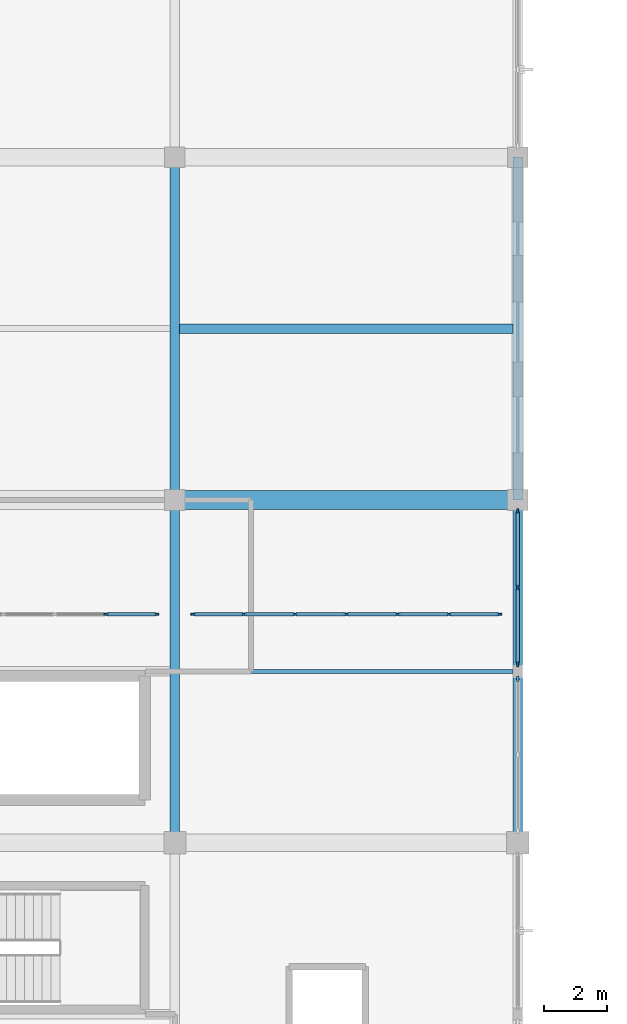
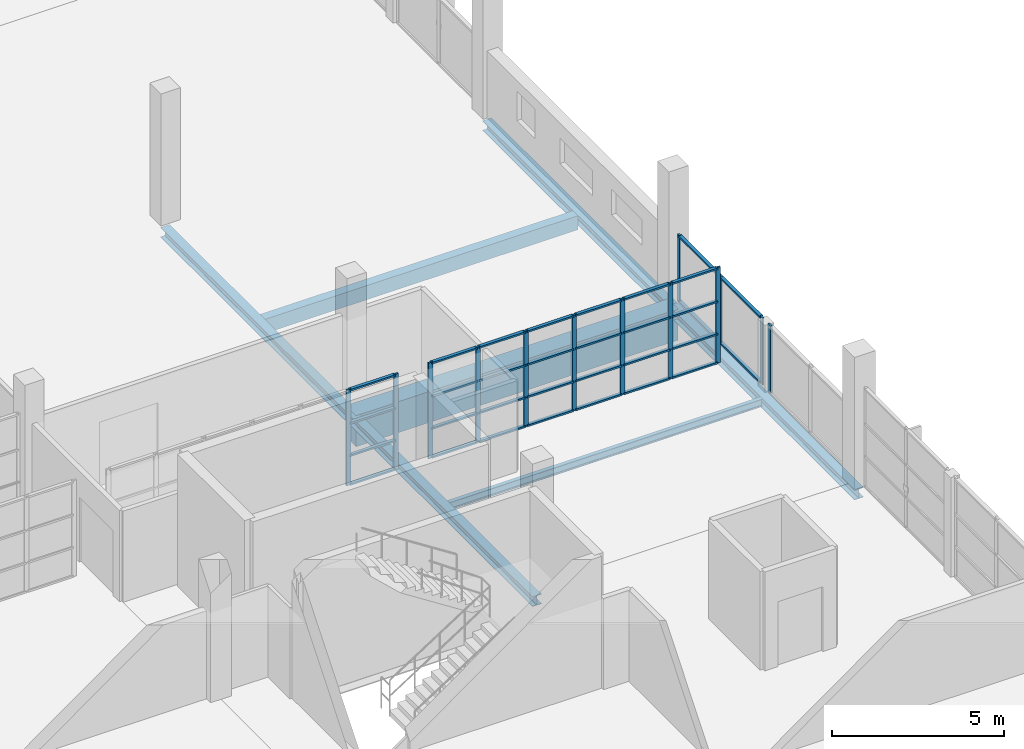
# One storey, part 64 of 142: 45 members, 7 beams, 4 elements without a shape of their own.
"""IFC4 building model written with IfcOpenShell, lengths in metres."""

from ifc_helpers import new_model, si_unit, direction, frame, origin, origin_2d, place, context, subcontext, project, spatial, rectangle, i_section, extrude, material, material_profile, profile_set, type_object, element, aggregate, save


model = new_model("IFC4")

# Units and contexts
model_context = context("Model", 3, precision=1e-05, world=origin(), true_north=direction((0.0, 1.0)))
body_context = subcontext(model_context, "Body", "Model", "MODEL_VIEW")
ifc_project = project(units=[si_unit("LENGTHUNIT", "METRE"), si_unit("AREAUNIT", "SQUARE_METRE"), si_unit("VOLUMEUNIT", "CUBIC_METRE"), si_unit("PLANEANGLEUNIT", "RADIAN"), si_unit("MASSUNIT", "GRAM", prefix="KILO")], contexts=[model_context])

# Site, building, storey
site_placement = place(None, origin())
site = spatial("IfcSite", under=ifc_project, at=site_placement, CompositionType="ELEMENT")
building_placement = place(site_placement, origin())
building = spatial("IfcBuilding", under=site, at=building_placement, Name="Zwinboog Wholesale Market", CompositionType="ELEMENT")
storey_placement = place(building_placement, frame((0.0, 0.0, 5.39990234375)))
storey = spatial("IfcBuildingStorey", under=building, at=storey_placement, Name="L01", CompositionType="ELEMENT", Elevation=5.39990234375)

# Beams
ifc_material_1 = material(Name="Precast concrete C45/55", Category="concrete")
ifc_material_profile_1 = material_profile(ifc_material_1, rectangle(XDim=0.60009765625, YDim=1.10009765625, at=origin_2d()), Name="PC 600x1100")
ifc_profile_set_1 = profile_set([ifc_material_profile_1], Name="Precast concrete C45/55")
beam_type_1 = type_object("IfcBeamType", Name="BT-01", PredefinedType="BEAM", material=ifc_profile_set_1)
beam_1_placement = place(storey_placement, frame((162.0, 54.0, -0.85498046875), z_axis=(1.0, 0.0, 0.0), x_axis=(0.0, 1.0, 0.0)))
element("IfcBeam", 1, at=beam_1_placement, inside=storey, type_object=beam_type_1, Name="BG-01 (BMG-L01-1620-0540-0488)", PredefinedType="BEAM", context=body_context, shape_type="SweptSolid", body=[
    extrude(rectangle(XDim=0.60009765625, YDim=1.10009765625, at=origin_2d()), origin(), (0.0, 0.0, 1.0), 10.800048828125),
])
ifc_material_profile_2 = material_profile(ifc_material_1, rectangle(XDim=0.300048828125, YDim=0.5, at=origin_2d()), Name="PC 300x500")
ifc_profile_set_2 = profile_set([ifc_material_profile_2], Name="Precast concrete C45/55")
beam_type_2 = type_object("IfcBeamType", Name="BT-10", PredefinedType="JOIST", material=ifc_profile_set_2)
beam_2_placement = place(storey_placement, frame((162.14990234375, 59.39990234375, -0.554931640625), z_axis=(1.0, 0.0, 0.0), x_axis=(0.0, 1.0, 0.0)))
element("IfcBeam", 2, at=beam_2_placement, inside=storey, type_object=beam_type_2, Name="BJ-01 (BMG-L01-1622-0594-0850)", PredefinedType="JOIST", context=body_context, shape_type="SweptSolid", body=[
    extrude(rectangle(XDim=0.300048828125, YDim=0.5, at=origin_2d()), origin(), (0.0, 0.0, 1.0), 10.5),
])
ifc_material_2 = material(Name="Steel S355", Category="steel")
ifc_material_profile_3 = material_profile(ifc_material_2, i_section(OverallWidth=0.300048828125, OverallDepth=0.35009765625, WebThickness=0.010009765625, FlangeThickness=0.017578125, FilletRadius=0.027099609375, at=origin_2d()), Name="HEA 360")
ifc_profile_set_3 = profile_set([ifc_material_profile_3], Name="Steel S355")
beam_type_3 = type_object("IfcBeamType", Name="BT-17", PredefinedType="BEAM", material=ifc_profile_set_3)
for number, where, z_axis, x_axis, name in (
    (3, (162.0, 43.199951171875, -0.47998046875), (0.0, 1.0, 0.0), (-1.0, 0.0, 0.0), "SB-04 (BMG-L01-1620-0432-0737)"),
    (4, (162.0, 54.0, -0.47998046875), (0.0, 1.0, 0.0), (-1.0, 0.0, 0.0), "SB-04 (BMG-L01-1620-0540-0738)"),
    (5, (172.800048828125, 43.199951171875, -0.47998046875), (0.0, 1.0, 0.0), (-1.0, 0.0, 0.0), "SB-04 (BMG-L01-1728-0432-0749)"),
    (6, (172.800048828125, 54.0, -0.47998046875), (0.0, 1.0, 0.0), (-1.0, 0.0, 0.0), "SB-04 (BMG-L01-1728-0540-0750)"),
):
    element("IfcBeam", number, at=place(storey_placement, frame(where, z_axis=z_axis, x_axis=x_axis)), inside=storey, type_object=beam_type_3, Name=name, PredefinedType="BEAM", context=body_context, shape_type="SweptSolid", body=[
        extrude(i_section(OverallWidth=0.300048828125, OverallDepth=0.35009765625, WebThickness=0.010009765625, FlangeThickness=0.017578125, FilletRadius=0.027099609375, at=origin_2d()), origin(), (0.0, 0.0, 1.0), 10.800048828125),
    ])
ifc_material_profile_4 = material_profile(ifc_material_2, i_section(OverallWidth=0.135009765625, OverallDepth=0.27001953125, WebThickness=0.006591796875, FlangeThickness=0.01025390625, FilletRadius=0.014892578125, at=origin_2d()), Name="IPE 270")
ifc_profile_set_4 = profile_set([ifc_material_profile_4], Name="Steel S355")
beam_type_4 = type_object("IfcBeamType", Name="BT-21", PredefinedType="JOIST", material=ifc_profile_set_4)
beam_3_placement = place(storey_placement, frame((162.14990234375, 48.60009765625, -0.43994140625), z_axis=(1.0, 0.0, 0.0), x_axis=(0.0, 1.0, 0.0)))
element("IfcBeam", 7, at=beam_3_placement, inside=storey, type_object=beam_type_4, Name="SJ-04 (BMG-L01-1622-0486-0849)", PredefinedType="JOIST", context=body_context, shape_type="SweptSolid", body=[
    extrude(i_section(OverallWidth=0.135009765625, OverallDepth=0.27001953125, WebThickness=0.006591796875, FlangeThickness=0.01025390625, FilletRadius=0.014892578125, at=origin_2d()), origin(), (0.0, 0.0, 1.0), 10.5),
])

# Curtain wall, member
ifc_material_3 = material(Name="Aluminium thermally broken curtain wall", Category="aluminium")
curtain_wall_type_1 = type_object("IfcCurtainWallType", Name="CWT-STALL-18", PredefinedType="USERDEFINED", material=ifc_material_3)
curtain_wall_1_placement = place(storey_placement, origin())
curtain_wall_1 = element("IfcCurtainWall", 8, at=curtain_wall_1_placement, inside=storey, type_object=curtain_wall_type_1, Name="CW-01 (CW-L01-133)", ObjectType="STOREFRONT_GLAZING", PredefinedType="USERDEFINED")
ifc_material_4 = material(Name="Aluminium EN AW-6060", Category="aluminium")
ifc_material_profile_5 = material_profile(ifc_material_4, rectangle(XDim=0.06494140625, YDim=0.179931640625, at=origin_2d()), Name="AL 65x180")
ifc_profile_set_5 = profile_set([ifc_material_profile_5], Name="Aluminium EN AW-6060")
member_type_1 = type_object("IfcMemberType", Name="CWM-65x180", PredefinedType="MULLION", material=ifc_profile_set_5)
member_1_placement = place(storey_placement, frame((172.800048828125, 48.367431640625, 0.0), z_axis=(0.0, 0.0, 1.0), x_axis=(-1.0, 0.0, 0.0)))
member_1 = element("IfcMember", 9, at=member_1_placement, type_object=member_type_1, Name="CW-01 mullion 3", PredefinedType="MULLION", context=body_context, shape_type="SweptSolid", body=[
    extrude(rectangle(XDim=0.06494140625, YDim=0.179931640625, at=origin_2d()), origin(), (0.0, 0.0, 1.0), 2.380126953125),
])
aggregate(curtain_wall_1, [member_1])

# Curtain wall, members
curtain_wall_type_2 = type_object("IfcCurtainWallType", Name="CWT-STALL-20", PredefinedType="USERDEFINED", material=ifc_material_3)
curtain_wall_2_placement = place(storey_placement, origin())
curtain_wall_2 = element("IfcCurtainWall", 10, at=curtain_wall_2_placement, inside=storey, type_object=curtain_wall_type_2, Name="CW-02 (CW-L01-134)", ObjectType="STOREFRONT_GLAZING", PredefinedType="USERDEFINED")
ifc_material_profile_6 = material_profile(ifc_material_4, rectangle(XDim=0.06005859375, YDim=0.14990234375, at=origin_2d()), Name="AL 60x150")
ifc_profile_set_6 = profile_set([ifc_material_profile_6], Name="Aluminium EN AW-6060")
member_type_2 = type_object("IfcMemberType", Name="CWM-60x150", PredefinedType="MULLION", material=ifc_profile_set_6)
member_2_placement = place(storey_placement, frame((172.800048828125, 48.830078125, 0.0), z_axis=(0.0, 0.0, 1.0), x_axis=(-1.0, 0.0, 0.0)))
member_2 = element("IfcMember", 11, at=member_2_placement, type_object=member_type_2, Name="CW-02 mullion 1", PredefinedType="MULLION", context=body_context, shape_type="SweptSolid", body=[
    extrude(rectangle(XDim=0.06005859375, YDim=0.14990234375, at=origin_2d()), origin(), (0.0, 0.0, 1.0), 2.380126953125),
])
member_3_placement = place(storey_placement, frame((172.800048828125, 51.239990234375, 0.0), z_axis=(0.0, 0.0, 1.0), x_axis=(-1.0, 0.0, 0.0)))
member_3 = element("IfcMember", 12, at=member_3_placement, type_object=member_type_2, Name="CW-02 mullion 2", PredefinedType="MULLION", context=body_context, shape_type="SweptSolid", body=[
    extrude(rectangle(XDim=0.06005859375, YDim=0.14990234375, at=origin_2d()), origin(), (0.0, 0.0, 1.0), 2.380126953125),
])
member_4_placement = place(storey_placement, frame((172.800048828125, 53.64990234375, 0.0), z_axis=(0.0, 0.0, 1.0), x_axis=(-1.0, 0.0, 0.0)))
member_4 = element("IfcMember", 13, at=member_4_placement, type_object=member_type_2, Name="CW-02 mullion 3", PredefinedType="MULLION", context=body_context, shape_type="SweptSolid", body=[
    extrude(rectangle(XDim=0.06005859375, YDim=0.14990234375, at=origin_2d()), origin(), (0.0, 0.0, 1.0), 2.380126953125),
])
ifc_material_profile_7 = material_profile(ifc_material_4, rectangle(XDim=0.110107421875, YDim=0.06005859375, at=origin_2d()), Name="AL 60x110")
ifc_profile_set_7 = profile_set([ifc_material_profile_7], Name="Aluminium EN AW-6060")
member_type_3 = type_object("IfcMemberType", Name="CWT-60x110", PredefinedType="USERDEFINED", material=ifc_profile_set_7)
member_5_placement = place(storey_placement, frame((172.800048828125, 48.860107421875, 0.030029296875), z_axis=(0.0, 1.0, 0.0), x_axis=(-1.0, 0.0, 0.0)))
member_5 = element("IfcMember", 14, at=member_5_placement, type_object=member_type_3, Name="CW-02 transom 1.1", ObjectType="TRANSOM", PredefinedType="USERDEFINED", context=body_context, shape_type="SweptSolid", body=[
    extrude(rectangle(XDim=0.110107421875, YDim=0.06005859375, at=origin_2d()), origin(), (0.0, 0.0, 1.0), 2.349853515625),
])
member_6_placement = place(storey_placement, frame((172.800048828125, 48.860107421875, 2.35009765625), z_axis=(0.0, 1.0, 0.0), x_axis=(-1.0, 0.0, 0.0)))
member_6 = element("IfcMember", 15, at=member_6_placement, type_object=member_type_3, Name="CW-02 transom 1.2", ObjectType="TRANSOM", PredefinedType="USERDEFINED", context=body_context, shape_type="SweptSolid", body=[
    extrude(rectangle(XDim=0.110107421875, YDim=0.06005859375, at=origin_2d()), origin(), (0.0, 0.0, 1.0), 2.349853515625),
])
member_7_placement = place(storey_placement, frame((172.800048828125, 51.27001953125, 0.030029296875), z_axis=(0.0, 1.0, 0.0), x_axis=(-1.0, 0.0, 0.0)))
member_7 = element("IfcMember", 16, at=member_7_placement, type_object=member_type_3, Name="CW-02 transom 2.1", ObjectType="TRANSOM", PredefinedType="USERDEFINED", context=body_context, shape_type="SweptSolid", body=[
    extrude(rectangle(XDim=0.110107421875, YDim=0.06005859375, at=origin_2d()), origin(), (0.0, 0.0, 1.0), 2.35009765625),
])
member_8_placement = place(storey_placement, frame((172.800048828125, 51.27001953125, 2.35009765625), z_axis=(0.0, 1.0, 0.0), x_axis=(-1.0, 0.0, 0.0)))
member_8 = element("IfcMember", 17, at=member_8_placement, type_object=member_type_3, Name="CW-02 transom 2.2", ObjectType="TRANSOM", PredefinedType="USERDEFINED", context=body_context, shape_type="SweptSolid", body=[
    extrude(rectangle(XDim=0.110107421875, YDim=0.06005859375, at=origin_2d()), origin(), (0.0, 0.0, 1.0), 2.35009765625),
])
aggregate(curtain_wall_2, [member_2, member_3, member_4, member_5, member_6, member_7, member_8])

curtain_wall_type_3 = type_object("IfcCurtainWallType", Name="CWT-INT-STALL", PredefinedType="USERDEFINED", material=ifc_material_3)
curtain_wall_3_placement = place(storey_placement, origin())
curtain_wall_3 = element("IfcCurtainWall", 18, at=curtain_wall_3_placement, inside=storey, type_object=curtain_wall_type_3, Name="CW-07 (CW-STL-233)", ObjectType="STOREFRONT_GLAZING", PredefinedType="USERDEFINED")
ifc_material_profile_8 = material_profile(ifc_material_4, rectangle(XDim=0.06005859375, YDim=0.14990234375, at=origin_2d()), Name="AL 60x150")
ifc_profile_set_8 = profile_set([ifc_material_profile_8], Name="Aluminium EN AW-6060")
member_type_4 = type_object("IfcMemberType", Name="CWM-INT-60x120", PredefinedType="MULLION", material=ifc_profile_set_8)
member_9_placement = place(storey_placement, frame((159.833251953125, 50.39990234375, 0.0), z_axis=(0.0, 0.0, 1.0), x_axis=(0.0, 1.0, 0.0)))
member_9 = element("IfcMember", 19, at=member_9_placement, type_object=member_type_4, Name="CW-07 mullion 6", PredefinedType="MULLION", context=body_context, shape_type="SweptSolid", body=[
    extrude(rectangle(XDim=0.06005859375, YDim=0.14990234375, at=origin_2d()), origin(), (0.0, 0.0, 1.0), 3.400146484375),
])
member_10_placement = place(storey_placement, frame((161.419921875, 50.39990234375, 0.0), z_axis=(0.0, 0.0, 1.0), x_axis=(0.0, 1.0, 0.0)))
member_10 = element("IfcMember", 20, at=member_10_placement, type_object=member_type_4, Name="CW-07 mullion 7", PredefinedType="MULLION", context=body_context, shape_type="SweptSolid", body=[
    extrude(rectangle(XDim=0.06005859375, YDim=0.14990234375, at=origin_2d()), origin(), (0.0, 0.0, 1.0), 3.400146484375),
])

curtain_wall_4_placement = place(storey_placement, origin())
curtain_wall_4 = element("IfcCurtainWall", 21, at=curtain_wall_4_placement, inside=storey, type_object=curtain_wall_type_3, Name="CW-07 (CW-STL-234)", ObjectType="STOREFRONT_GLAZING", PredefinedType="USERDEFINED")
member_11_placement = place(storey_placement, frame((162.580078125, 50.39990234375, 0.0), z_axis=(0.0, 0.0, 1.0), x_axis=(0.0, 1.0, 0.0)))
member_11 = element("IfcMember", 22, at=member_11_placement, type_object=member_type_4, Name="CW-07 mullion 1", PredefinedType="MULLION", context=body_context, shape_type="SweptSolid", body=[
    extrude(rectangle(XDim=0.06005859375, YDim=0.14990234375, at=origin_2d()), origin(), (0.0, 0.0, 1.0), 3.400146484375),
])
member_12_placement = place(storey_placement, frame((164.166748046875, 50.39990234375, 0.0), z_axis=(0.0, 0.0, 1.0), x_axis=(0.0, 1.0, 0.0)))
member_12 = element("IfcMember", 23, at=member_12_placement, type_object=member_type_4, Name="CW-07 mullion 2", PredefinedType="MULLION", context=body_context, shape_type="SweptSolid", body=[
    extrude(rectangle(XDim=0.06005859375, YDim=0.14990234375, at=origin_2d()), origin(), (0.0, 0.0, 1.0), 3.400146484375),
])
member_13_placement = place(storey_placement, frame((165.783447265625, 50.39990234375, 0.0), z_axis=(0.0, 0.0, 1.0), x_axis=(0.0, 1.0, 0.0)))
member_13 = element("IfcMember", 24, at=member_13_placement, type_object=member_type_4, Name="CW-07 mullion 3", PredefinedType="MULLION", context=body_context, shape_type="SweptSolid", body=[
    extrude(rectangle(XDim=0.06005859375, YDim=0.14990234375, at=origin_2d()), origin(), (0.0, 0.0, 1.0), 3.400146484375),
])
member_14_placement = place(storey_placement, frame((167.39990234375, 50.39990234375, 0.0), z_axis=(0.0, 0.0, 1.0), x_axis=(0.0, 1.0, 0.0)))
member_14 = element("IfcMember", 25, at=member_14_placement, type_object=member_type_4, Name="CW-07 mullion 4", PredefinedType="MULLION", context=body_context, shape_type="SweptSolid", body=[
    extrude(rectangle(XDim=0.06005859375, YDim=0.14990234375, at=origin_2d()), origin(), (0.0, 0.0, 1.0), 3.400146484375),
])
member_15_placement = place(storey_placement, frame((169.0166015625, 50.39990234375, 0.0), z_axis=(0.0, 0.0, 1.0), x_axis=(0.0, 1.0, 0.0)))
member_15 = element("IfcMember", 26, at=member_15_placement, type_object=member_type_4, Name="CW-07 mullion 5", PredefinedType="MULLION", context=body_context, shape_type="SweptSolid", body=[
    extrude(rectangle(XDim=0.06005859375, YDim=0.14990234375, at=origin_2d()), origin(), (0.0, 0.0, 1.0), 3.400146484375),
])
member_16_placement = place(storey_placement, frame((170.63330078125, 50.39990234375, 0.0), z_axis=(0.0, 0.0, 1.0), x_axis=(0.0, 1.0, 0.0)))
member_16 = element("IfcMember", 27, at=member_16_placement, type_object=member_type_4, Name="CW-07 mullion 6", PredefinedType="MULLION", context=body_context, shape_type="SweptSolid", body=[
    extrude(rectangle(XDim=0.06005859375, YDim=0.14990234375, at=origin_2d()), origin(), (0.0, 0.0, 1.0), 3.400146484375),
])
member_17_placement = place(storey_placement, frame((172.219970703125, 50.39990234375, 0.0), z_axis=(0.0, 0.0, 1.0), x_axis=(0.0, 1.0, 0.0)))
member_17 = element("IfcMember", 28, at=member_17_placement, type_object=member_type_4, Name="CW-07 mullion 7", PredefinedType="MULLION", context=body_context, shape_type="SweptSolid", body=[
    extrude(rectangle(XDim=0.06005859375, YDim=0.14990234375, at=origin_2d()), origin(), (0.0, 0.0, 1.0), 3.400146484375),
])

# Member
ifc_material_profile_9 = material_profile(ifc_material_4, rectangle(XDim=0.110107421875, YDim=0.06005859375, at=origin_2d()), Name="AL 60x110")
ifc_profile_set_9 = profile_set([ifc_material_profile_9], Name="Aluminium EN AW-6060")
member_type_5 = type_object("IfcMemberType", Name="CWT-INT-60x100", PredefinedType="USERDEFINED", material=ifc_profile_set_9)
member_18_placement = place(storey_placement, frame((159.86328125, 50.39990234375, 0.030029296875), z_axis=(1.0, 0.0, 0.0), x_axis=(0.0, 1.0, 0.0)))
member_18 = element("IfcMember", 29, at=member_18_placement, type_object=member_type_5, Name="CW-07 transom 6.1", ObjectType="TRANSOM", PredefinedType="USERDEFINED", context=body_context, shape_type="SweptSolid", body=[
    extrude(rectangle(XDim=0.110107421875, YDim=0.06005859375, at=origin_2d()), origin(), (0.0, 0.0, 1.0), 1.526611328125),
])

member_19_placement = place(storey_placement, frame((159.86328125, 50.39990234375, 1.050048828125), z_axis=(1.0, 0.0, 0.0), x_axis=(0.0, 1.0, 0.0)))
member_19 = element("IfcMember", 30, at=member_19_placement, type_object=member_type_5, Name="CW-07 transom 6.2", ObjectType="TRANSOM", PredefinedType="USERDEFINED", context=body_context, shape_type="SweptSolid", body=[
    extrude(rectangle(XDim=0.110107421875, YDim=0.06005859375, at=origin_2d()), origin(), (0.0, 0.0, 1.0), 1.526611328125),
])

member_20_placement = place(storey_placement, frame((159.86328125, 50.39990234375, 2.2001953125), z_axis=(1.0, 0.0, 0.0), x_axis=(0.0, 1.0, 0.0)))
member_20 = element("IfcMember", 31, at=member_20_placement, type_object=member_type_5, Name="CW-07 transom 6.3", ObjectType="TRANSOM", PredefinedType="USERDEFINED", context=body_context, shape_type="SweptSolid", body=[
    extrude(rectangle(XDim=0.110107421875, YDim=0.06005859375, at=origin_2d()), origin(), (0.0, 0.0, 1.0), 1.526611328125),
])

member_21_placement = place(storey_placement, frame((159.86328125, 50.39990234375, 3.3701171875), z_axis=(1.0, 0.0, 0.0), x_axis=(0.0, 1.0, 0.0)))
member_21 = element("IfcMember", 32, at=member_21_placement, type_object=member_type_5, Name="CW-07 transom 6.4", ObjectType="TRANSOM", PredefinedType="USERDEFINED", context=body_context, shape_type="SweptSolid", body=[
    extrude(rectangle(XDim=0.110107421875, YDim=0.06005859375, at=origin_2d()), origin(), (0.0, 0.0, 1.0), 1.526611328125),
])

aggregate(curtain_wall_3, [member_9, member_10, member_18, member_19, member_20, member_21])

member_22_placement = place(storey_placement, frame((162.610107421875, 50.39990234375, 0.030029296875), z_axis=(1.0, 0.0, 0.0), x_axis=(0.0, 1.0, 0.0)))
member_22 = element("IfcMember", 33, at=member_22_placement, type_object=member_type_5, Name="CW-07 transom 1.1", ObjectType="TRANSOM", PredefinedType="USERDEFINED", context=body_context, shape_type="SweptSolid", body=[
    extrude(rectangle(XDim=0.110107421875, YDim=0.06005859375, at=origin_2d()), origin(), (0.0, 0.0, 1.0), 1.526611328125),
])

member_23_placement = place(storey_placement, frame((162.610107421875, 50.39990234375, 1.050048828125), z_axis=(1.0, 0.0, 0.0), x_axis=(0.0, 1.0, 0.0)))
member_23 = element("IfcMember", 34, at=member_23_placement, type_object=member_type_5, Name="CW-07 transom 1.2", ObjectType="TRANSOM", PredefinedType="USERDEFINED", context=body_context, shape_type="SweptSolid", body=[
    extrude(rectangle(XDim=0.110107421875, YDim=0.06005859375, at=origin_2d()), origin(), (0.0, 0.0, 1.0), 1.526611328125),
])

member_24_placement = place(storey_placement, frame((162.610107421875, 50.39990234375, 2.2001953125), z_axis=(1.0, 0.0, 0.0), x_axis=(0.0, 1.0, 0.0)))
member_24 = element("IfcMember", 35, at=member_24_placement, type_object=member_type_5, Name="CW-07 transom 1.3", ObjectType="TRANSOM", PredefinedType="USERDEFINED", context=body_context, shape_type="SweptSolid", body=[
    extrude(rectangle(XDim=0.110107421875, YDim=0.06005859375, at=origin_2d()), origin(), (0.0, 0.0, 1.0), 1.526611328125),
])

member_25_placement = place(storey_placement, frame((162.610107421875, 50.39990234375, 3.3701171875), z_axis=(1.0, 0.0, 0.0), x_axis=(0.0, 1.0, 0.0)))
member_25 = element("IfcMember", 36, at=member_25_placement, type_object=member_type_5, Name="CW-07 transom 1.4", ObjectType="TRANSOM", PredefinedType="USERDEFINED", context=body_context, shape_type="SweptSolid", body=[
    extrude(rectangle(XDim=0.110107421875, YDim=0.06005859375, at=origin_2d()), origin(), (0.0, 0.0, 1.0), 1.526611328125),
])

member_26_placement = place(storey_placement, frame((164.19677734375, 50.39990234375, 0.030029296875), z_axis=(1.0, 0.0, 0.0), x_axis=(0.0, 1.0, 0.0)))
member_26 = element("IfcMember", 37, at=member_26_placement, type_object=member_type_5, Name="CW-07 transom 2.1", ObjectType="TRANSOM", PredefinedType="USERDEFINED", context=body_context, shape_type="SweptSolid", body=[
    extrude(rectangle(XDim=0.110107421875, YDim=0.06005859375, at=origin_2d()), origin(), (0.0, 0.0, 1.0), 1.556640625),
])

member_27_placement = place(storey_placement, frame((164.19677734375, 50.39990234375, 1.050048828125), z_axis=(1.0, 0.0, 0.0), x_axis=(0.0, 1.0, 0.0)))
member_27 = element("IfcMember", 38, at=member_27_placement, type_object=member_type_5, Name="CW-07 transom 2.2", ObjectType="TRANSOM", PredefinedType="USERDEFINED", context=body_context, shape_type="SweptSolid", body=[
    extrude(rectangle(XDim=0.110107421875, YDim=0.06005859375, at=origin_2d()), origin(), (0.0, 0.0, 1.0), 1.556640625),
])

member_28_placement = place(storey_placement, frame((164.19677734375, 50.39990234375, 2.2001953125), z_axis=(1.0, 0.0, 0.0), x_axis=(0.0, 1.0, 0.0)))
member_28 = element("IfcMember", 39, at=member_28_placement, type_object=member_type_5, Name="CW-07 transom 2.3", ObjectType="TRANSOM", PredefinedType="USERDEFINED", context=body_context, shape_type="SweptSolid", body=[
    extrude(rectangle(XDim=0.110107421875, YDim=0.06005859375, at=origin_2d()), origin(), (0.0, 0.0, 1.0), 1.556640625),
])

member_29_placement = place(storey_placement, frame((164.19677734375, 50.39990234375, 3.3701171875), z_axis=(1.0, 0.0, 0.0), x_axis=(0.0, 1.0, 0.0)))
member_29 = element("IfcMember", 40, at=member_29_placement, type_object=member_type_5, Name="CW-07 transom 2.4", ObjectType="TRANSOM", PredefinedType="USERDEFINED", context=body_context, shape_type="SweptSolid", body=[
    extrude(rectangle(XDim=0.110107421875, YDim=0.06005859375, at=origin_2d()), origin(), (0.0, 0.0, 1.0), 1.556640625),
])

member_30_placement = place(storey_placement, frame((165.813232421875, 50.39990234375, 0.030029296875), z_axis=(1.0, 0.0, 0.0), x_axis=(0.0, 1.0, 0.0)))
member_30 = element("IfcMember", 41, at=member_30_placement, type_object=member_type_5, Name="CW-07 transom 3.1", ObjectType="TRANSOM", PredefinedType="USERDEFINED", context=body_context, shape_type="SweptSolid", body=[
    extrude(rectangle(XDim=0.110107421875, YDim=0.06005859375, at=origin_2d()), origin(), (0.0, 0.0, 1.0), 1.556884765625),
])

member_31_placement = place(storey_placement, frame((165.813232421875, 50.39990234375, 1.050048828125), z_axis=(1.0, 0.0, 0.0), x_axis=(0.0, 1.0, 0.0)))
member_31 = element("IfcMember", 42, at=member_31_placement, type_object=member_type_5, Name="CW-07 transom 3.2", ObjectType="TRANSOM", PredefinedType="USERDEFINED", context=body_context, shape_type="SweptSolid", body=[
    extrude(rectangle(XDim=0.110107421875, YDim=0.06005859375, at=origin_2d()), origin(), (0.0, 0.0, 1.0), 1.556884765625),
])

member_32_placement = place(storey_placement, frame((165.813232421875, 50.39990234375, 2.2001953125), z_axis=(1.0, 0.0, 0.0), x_axis=(0.0, 1.0, 0.0)))
member_32 = element("IfcMember", 43, at=member_32_placement, type_object=member_type_5, Name="CW-07 transom 3.3", ObjectType="TRANSOM", PredefinedType="USERDEFINED", context=body_context, shape_type="SweptSolid", body=[
    extrude(rectangle(XDim=0.110107421875, YDim=0.06005859375, at=origin_2d()), origin(), (0.0, 0.0, 1.0), 1.556884765625),
])

member_33_placement = place(storey_placement, frame((165.813232421875, 50.39990234375, 3.3701171875), z_axis=(1.0, 0.0, 0.0), x_axis=(0.0, 1.0, 0.0)))
member_33 = element("IfcMember", 44, at=member_33_placement, type_object=member_type_5, Name="CW-07 transom 3.4", ObjectType="TRANSOM", PredefinedType="USERDEFINED", context=body_context, shape_type="SweptSolid", body=[
    extrude(rectangle(XDim=0.110107421875, YDim=0.06005859375, at=origin_2d()), origin(), (0.0, 0.0, 1.0), 1.556884765625),
])

member_34_placement = place(storey_placement, frame((167.429931640625, 50.39990234375, 0.030029296875), z_axis=(1.0, 0.0, 0.0), x_axis=(0.0, 1.0, 0.0)))
member_34 = element("IfcMember", 45, at=member_34_placement, type_object=member_type_5, Name="CW-07 transom 4.1", ObjectType="TRANSOM", PredefinedType="USERDEFINED", context=body_context, shape_type="SweptSolid", body=[
    extrude(rectangle(XDim=0.110107421875, YDim=0.06005859375, at=origin_2d()), origin(), (0.0, 0.0, 1.0), 1.556640625),
])

member_35_placement = place(storey_placement, frame((167.429931640625, 50.39990234375, 1.050048828125), z_axis=(1.0, 0.0, 0.0), x_axis=(0.0, 1.0, 0.0)))
member_35 = element("IfcMember", 46, at=member_35_placement, type_object=member_type_5, Name="CW-07 transom 4.2", ObjectType="TRANSOM", PredefinedType="USERDEFINED", context=body_context, shape_type="SweptSolid", body=[
    extrude(rectangle(XDim=0.110107421875, YDim=0.06005859375, at=origin_2d()), origin(), (0.0, 0.0, 1.0), 1.556640625),
])

member_36_placement = place(storey_placement, frame((167.429931640625, 50.39990234375, 2.2001953125), z_axis=(1.0, 0.0, 0.0), x_axis=(0.0, 1.0, 0.0)))
member_36 = element("IfcMember", 47, at=member_36_placement, type_object=member_type_5, Name="CW-07 transom 4.3", ObjectType="TRANSOM", PredefinedType="USERDEFINED", context=body_context, shape_type="SweptSolid", body=[
    extrude(rectangle(XDim=0.110107421875, YDim=0.06005859375, at=origin_2d()), origin(), (0.0, 0.0, 1.0), 1.556640625),
])

member_37_placement = place(storey_placement, frame((167.429931640625, 50.39990234375, 3.3701171875), z_axis=(1.0, 0.0, 0.0), x_axis=(0.0, 1.0, 0.0)))
member_37 = element("IfcMember", 48, at=member_37_placement, type_object=member_type_5, Name="CW-07 transom 4.4", ObjectType="TRANSOM", PredefinedType="USERDEFINED", context=body_context, shape_type="SweptSolid", body=[
    extrude(rectangle(XDim=0.110107421875, YDim=0.06005859375, at=origin_2d()), origin(), (0.0, 0.0, 1.0), 1.556640625),
])

member_38_placement = place(storey_placement, frame((169.046630859375, 50.39990234375, 0.030029296875), z_axis=(1.0, 0.0, 0.0), x_axis=(0.0, 1.0, 0.0)))
member_38 = element("IfcMember", 49, at=member_38_placement, type_object=member_type_5, Name="CW-07 transom 5.1", ObjectType="TRANSOM", PredefinedType="USERDEFINED", context=body_context, shape_type="SweptSolid", body=[
    extrude(rectangle(XDim=0.110107421875, YDim=0.06005859375, at=origin_2d()), origin(), (0.0, 0.0, 1.0), 1.556640625),
])

member_39_placement = place(storey_placement, frame((169.046630859375, 50.39990234375, 1.050048828125), z_axis=(1.0, 0.0, 0.0), x_axis=(0.0, 1.0, 0.0)))
member_39 = element("IfcMember", 50, at=member_39_placement, type_object=member_type_5, Name="CW-07 transom 5.2", ObjectType="TRANSOM", PredefinedType="USERDEFINED", context=body_context, shape_type="SweptSolid", body=[
    extrude(rectangle(XDim=0.110107421875, YDim=0.06005859375, at=origin_2d()), origin(), (0.0, 0.0, 1.0), 1.556640625),
])

member_40_placement = place(storey_placement, frame((169.046630859375, 50.39990234375, 2.2001953125), z_axis=(1.0, 0.0, 0.0), x_axis=(0.0, 1.0, 0.0)))
member_40 = element("IfcMember", 51, at=member_40_placement, type_object=member_type_5, Name="CW-07 transom 5.3", ObjectType="TRANSOM", PredefinedType="USERDEFINED", context=body_context, shape_type="SweptSolid", body=[
    extrude(rectangle(XDim=0.110107421875, YDim=0.06005859375, at=origin_2d()), origin(), (0.0, 0.0, 1.0), 1.556640625),
])

member_41_placement = place(storey_placement, frame((169.046630859375, 50.39990234375, 3.3701171875), z_axis=(1.0, 0.0, 0.0), x_axis=(0.0, 1.0, 0.0)))
member_41 = element("IfcMember", 52, at=member_41_placement, type_object=member_type_5, Name="CW-07 transom 5.4", ObjectType="TRANSOM", PredefinedType="USERDEFINED", context=body_context, shape_type="SweptSolid", body=[
    extrude(rectangle(XDim=0.110107421875, YDim=0.06005859375, at=origin_2d()), origin(), (0.0, 0.0, 1.0), 1.556640625),
])

member_42_placement = place(storey_placement, frame((170.663330078125, 50.39990234375, 0.030029296875), z_axis=(1.0, 0.0, 0.0), x_axis=(0.0, 1.0, 0.0)))
member_42 = element("IfcMember", 53, at=member_42_placement, type_object=member_type_5, Name="CW-07 transom 6.1", ObjectType="TRANSOM", PredefinedType="USERDEFINED", context=body_context, shape_type="SweptSolid", body=[
    extrude(rectangle(XDim=0.110107421875, YDim=0.06005859375, at=origin_2d()), origin(), (0.0, 0.0, 1.0), 1.526611328125),
])

member_43_placement = place(storey_placement, frame((170.663330078125, 50.39990234375, 1.050048828125), z_axis=(1.0, 0.0, 0.0), x_axis=(0.0, 1.0, 0.0)))
member_43 = element("IfcMember", 54, at=member_43_placement, type_object=member_type_5, Name="CW-07 transom 6.2", ObjectType="TRANSOM", PredefinedType="USERDEFINED", context=body_context, shape_type="SweptSolid", body=[
    extrude(rectangle(XDim=0.110107421875, YDim=0.06005859375, at=origin_2d()), origin(), (0.0, 0.0, 1.0), 1.526611328125),
])

member_44_placement = place(storey_placement, frame((170.663330078125, 50.39990234375, 2.2001953125), z_axis=(1.0, 0.0, 0.0), x_axis=(0.0, 1.0, 0.0)))
member_44 = element("IfcMember", 55, at=member_44_placement, type_object=member_type_5, Name="CW-07 transom 6.3", ObjectType="TRANSOM", PredefinedType="USERDEFINED", context=body_context, shape_type="SweptSolid", body=[
    extrude(rectangle(XDim=0.110107421875, YDim=0.06005859375, at=origin_2d()), origin(), (0.0, 0.0, 1.0), 1.526611328125),
])

member_45_placement = place(storey_placement, frame((170.663330078125, 50.39990234375, 3.3701171875), z_axis=(1.0, 0.0, 0.0), x_axis=(0.0, 1.0, 0.0)))
member_45 = element("IfcMember", 56, at=member_45_placement, type_object=member_type_5, Name="CW-07 transom 6.4", ObjectType="TRANSOM", PredefinedType="USERDEFINED", context=body_context, shape_type="SweptSolid", body=[
    extrude(rectangle(XDim=0.110107421875, YDim=0.06005859375, at=origin_2d()), origin(), (0.0, 0.0, 1.0), 1.526611328125),
])

aggregate(curtain_wall_4, [member_11, member_12, member_13, member_14, member_15, member_16, member_17, member_22, member_23, member_24, member_25, member_26, member_27, member_28, member_29, member_30, member_31, member_32, member_33, member_34, member_35, member_36, member_37, member_38, member_39, member_40, member_41, member_42, member_43, member_44, member_45])

save(model, "model.ifc")
